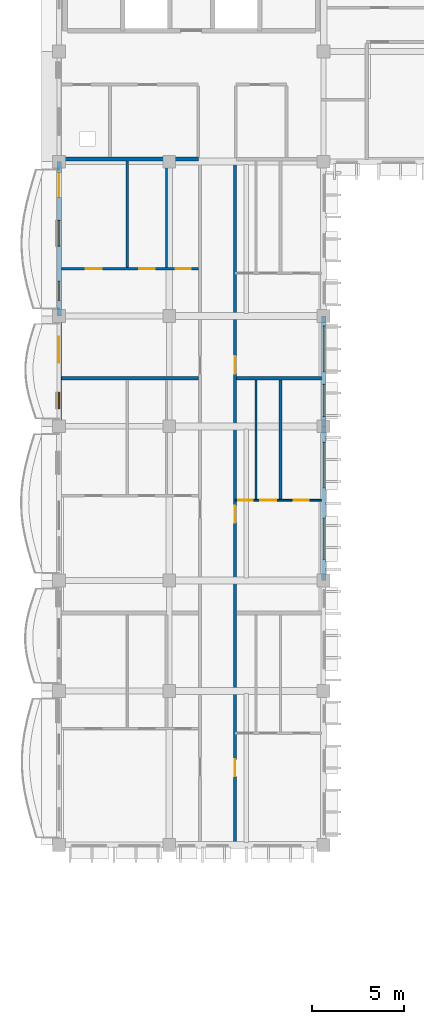
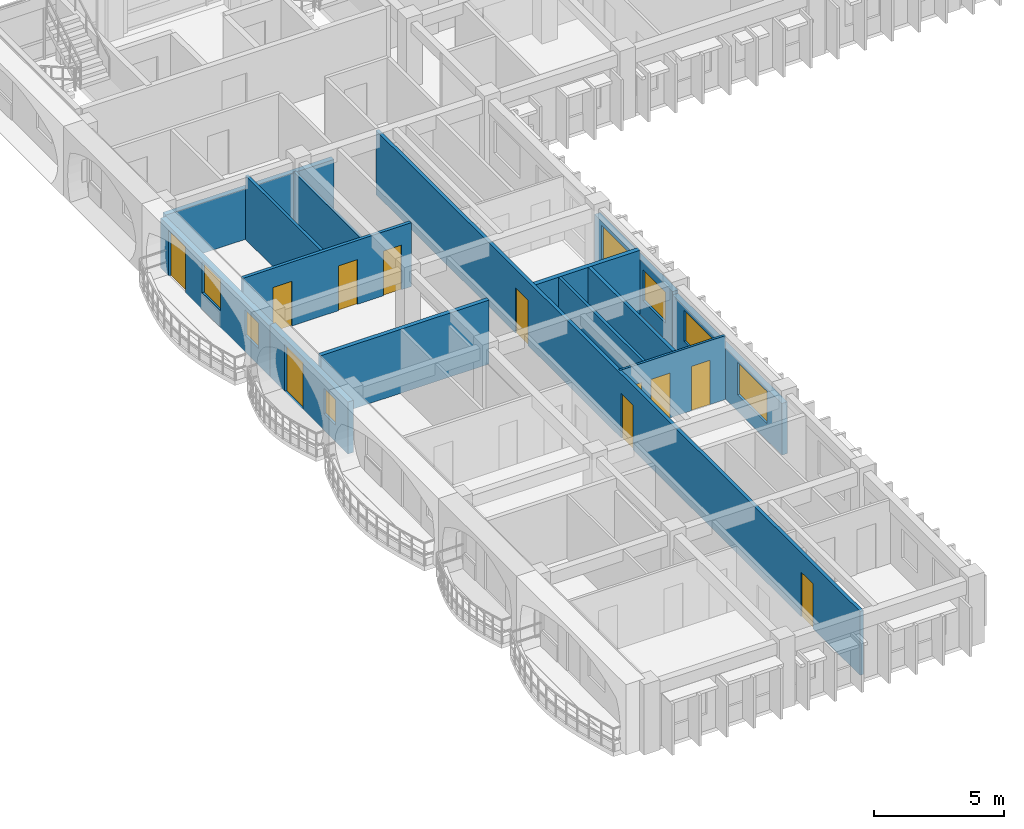
# One storey, part 49 of 101: 14 walls, 11 doors, 7 windows, 18 openings.
"""IFC4 building model written with IfcOpenShell, lengths in metres."""

from ifc_helpers import new_model, si_unit, direction, frame, frame_2d, origin, place, context, subcontext, project, spatial, rectangle, extrude, material, layer, layer_set, type_object, element, fill, save


model = new_model("IFC4")

# Units and contexts
model_context = context("Model", 3, precision=1e-05, world=origin(), true_north=direction((0.0, 1.0)))
body_context = subcontext(model_context, "Body", "Model", "MODEL_VIEW")
ifc_project = project(units=[si_unit("LENGTHUNIT", "METRE"), si_unit("AREAUNIT", "SQUARE_METRE"), si_unit("VOLUMEUNIT", "CUBIC_METRE"), si_unit("PLANEANGLEUNIT", "RADIAN"), si_unit("MASSUNIT", "GRAM", prefix="KILO"), si_unit("THERMODYNAMICTEMPERATUREUNIT", "KELVIN")], contexts=[model_context])

# Site, building, storey
site_placement = place(None, origin())
site = spatial("IfcSite", under=ifc_project, at=site_placement, CompositionType="ELEMENT")
building_placement = place(site_placement, origin())
building = spatial("IfcBuilding", under=site, at=building_placement, Name="Thalorik Housing Commons", CompositionType="ELEMENT")
storey_placement = place(building_placement, frame((0.0, 0.0, 8.10009765625)))
storey = spatial("IfcBuildingStorey", under=building, at=storey_placement, Name="L02", CompositionType="ELEMENT", Elevation=8.10009765625)

# Wall, openings, doors
ifc_material_1 = material(Name="Masonry fire-rated corridor wall", Category="masonry")
ifc_layer_1 = layer(ifc_material_1, 0.14990234375, Name="Masonry fire-rated corridor wall", Category="masonry")
ifc_layer_set_1 = layer_set([ifc_layer_1], Name="Masonry fire-rated corridor wall")
wall_type_1 = type_object("IfcWallType", Name="ARC-WAL-CORR-150", PredefinedType="PARTITIONING", material=ifc_layer_set_1)
wall_1_placement = place(storey_placement, frame((17.97998046875, 72.12451171875, 0.0), z_axis=(0.0, 0.0, 1.0), x_axis=(0.0, 1.0, 0.0)))
wall_1 = element("IfcWall", 1, at=wall_1_placement, inside=storey, type_object=wall_type_1, Name="L02 Block A W Corridor Wall 2", PredefinedType="PARTITIONING", context=body_context, shape_type="SweptSolid", body=[
    extrude(rectangle(XDim=37.215576171875, YDim=0.14990234375, at=frame_2d((18.60791015625, 0.0))), origin(), (0.0, 0.0, 1.0), 3.0),
])
opening_1_placement = place(wall_1_placement, frame((3.619384765625, 0.0, 0.0)))
opening_1 = element("IfcOpeningElement", 2, at=opening_1_placement, cuts=wall_1, Name="Opening ID-0498", PredefinedType="OPENING", context=body_context, shape_type="SweptSolid", body=[
    extrude(rectangle(XDim=0.919921875, YDim=2.10009765625, at=frame_2d((0.4599609375, 1.050048828125))), frame((0.0, 0.0849609375, 0.0), z_axis=(0.0, -1.0, 0.0), x_axis=(1.0, 0.0, 0.0)), (0.0, 0.0, 1.0), 0.169921875),
])
opening_2_placement = place(wall_1_placement, frame((17.43505859375, 0.0, 0.0)))
opening_2 = element("IfcOpeningElement", 3, at=opening_2_placement, cuts=wall_1, Name="Opening ID-0499", PredefinedType="OPENING", context=body_context, shape_type="SweptSolid", body=[
    extrude(rectangle(XDim=0.919921875, YDim=2.10009765625, at=frame_2d((0.4599609375, 1.050048828125))), frame((0.0, 0.0849609375, 0.0), z_axis=(0.0, -1.0, 0.0), x_axis=(1.0, 0.0, 0.0)), (0.0, 0.0, 1.0), 0.169921875),
])
opening_3_placement = place(wall_1_placement, frame((25.535400390625, 0.0, 0.0)))
opening_3 = element("IfcOpeningElement", 4, at=opening_3_placement, cuts=wall_1, Name="Opening ID-0500", PredefinedType="OPENING", context=body_context, shape_type="SweptSolid", body=[
    extrude(rectangle(XDim=0.9599609375, YDim=2.1201171875, at=frame_2d((0.47998046875, 1.06005859375))), frame((0.0, 0.0849609375, 0.0), z_axis=(0.0, -1.0, 0.0), x_axis=(1.0, 0.0, 0.0)), (0.0, 0.0, 1.0), 0.169921875),
])
ifc_material_2 = material(Name="Solid core hardwood timber", Category="wood")
door_type_1 = type_object("IfcDoorType", Name="ARC-DR-FD30-920", OperationType="NOTDEFINED", PredefinedType="DOOR", material=ifc_material_2)
door_1_placement = place(opening_1_placement, origin())
door_1 = element("IfcDoor", 5, at=door_1_placement, inside=storey, type_object=door_type_1, Name="L02 Flat AW-1B Entrance Door", OperationType="SINGLE_SWING_LEFT", OverallHeight=2.10009765625, OverallWidth=0.919921875, PredefinedType="DOOR", context=body_context, shape_type="SweptSolid", body=[
    extrude(rectangle(XDim=0.919921875, YDim=2.10009765625, at=frame_2d((0.4599609375, 1.050048828125))), frame((0.0, 0.02490234375, 0.0), z_axis=(0.0, -1.0, 0.0), x_axis=(1.0, 0.0, 0.0)), (0.0, 0.0, 1.0), 0.050048828125),
])
fill(opening_1, door_1)
door_2_placement = place(opening_2_placement, origin())
door_2 = element("IfcDoor", 6, at=door_2_placement, inside=storey, type_object=door_type_1, Name="L02 Flat AW-2B Entrance Door", OperationType="SINGLE_SWING_RIGHT", OverallHeight=2.10009765625, OverallWidth=0.919921875, PredefinedType="DOOR", context=body_context, shape_type="SweptSolid", body=[
    extrude(rectangle(XDim=0.919921875, YDim=2.10009765625, at=frame_2d((0.4599609375, 1.050048828125))), frame((0.0, 0.02490234375, 0.0), z_axis=(0.0, -1.0, 0.0), x_axis=(1.0, 0.0, 0.0)), (0.0, 0.0, 1.0), 0.050048828125),
])
fill(opening_2, door_2)
door_type_2 = type_object("IfcDoorType", Name="ARC-DR-FD30-960", OperationType="NOTDEFINED", PredefinedType="DOOR", material=ifc_material_2)
door_3_placement = place(opening_3_placement, origin())
door_3 = element("IfcDoor", 7, at=door_3_placement, inside=storey, type_object=door_type_2, Name="L02 Flat AW-3B Entrance Door", OperationType="SINGLE_SWING_LEFT", OverallHeight=2.1201171875, OverallWidth=0.9599609375, PredefinedType="DOOR", context=body_context, shape_type="SweptSolid", body=[
    extrude(rectangle(XDim=0.9599609375, YDim=2.1201171875, at=frame_2d((0.47998046875, 1.06005859375))), frame((0.0, 0.02490234375, 0.0), z_axis=(0.0, -1.0, 0.0), x_axis=(1.0, 0.0, 0.0)), (0.0, 0.0, 1.0), 0.050048828125),
])
fill(opening_3, door_3)

# Wall, openings, door, windows
ifc_material_3 = material(Name="White precast concrete C40/50", Category="concrete")
ifc_layer_2 = layer(ifc_material_3, 0.2451171875, Name="White precast concrete C40/50", Category="concrete")
ifc_layer_set_2 = layer_set([ifc_layer_2], Name="White precast concrete C40/50")
wall_type_2 = type_object("IfcWallType", Name="ARC-WAL-EXT-245", PredefinedType="STANDARD", material=ifc_layer_set_2)
wall_2_placement = place(storey_placement, frame((8.39990234375, 109.199951171875, 0.0), z_axis=(0.0, 0.0, 1.0), x_axis=(0.0, -1.0, 0.0)))
wall_2 = element("IfcWall", 8, at=wall_2_placement, inside=storey, type_object=wall_type_2, Name="L02 Exterior Wall WAL-EXT-L02-A-0073", PredefinedType="STANDARD", context=body_context, shape_type="SweptSolid", body=[
    extrude(rectangle(XDim=8.39990234375, YDim=0.2451171875, at=frame_2d((4.199951171875, 0.0))), origin(), (0.0, 0.0, 1.0), 2.344970703125),
])
opening_4_placement = place(wall_2_placement, frame((0.6201171875, 0.0, 0.0)))
opening_4 = element("IfcOpeningElement", 9, at=opening_4_placement, cuts=wall_2, Name="Opening ED-0015", PredefinedType="OPENING", context=body_context, shape_type="SweptSolid", body=[
    extrude(rectangle(XDim=1.300048828125, YDim=2.14990234375, at=frame_2d((0.64990234375, 1.074951171875))), frame((0.0, 0.132568359375, 0.0), z_axis=(0.0, -1.0, 0.0), x_axis=(1.0, 0.0, 0.0)), (0.0, 0.0, 1.0), 0.26513671875),
])
opening_5_placement = place(wall_2_placement, frame((3.197509765625, 0.0, 0.780029296875)))
opening_5 = element("IfcOpeningElement", 10, at=opening_5_placement, cuts=wall_2, Name="Opening W-08", PredefinedType="OPENING", context=body_context, shape_type="SweptSolid", body=[
    extrude(rectangle(XDim=1.39990234375, YDim=1.449951171875, at=frame_2d((0.699951171875, 0.72509765625))), frame((0.0, 0.132568359375, 0.0), z_axis=(0.0, -1.0, 0.0), x_axis=(1.0, 0.0, 0.0)), (0.0, 0.0, 1.0), 0.26513671875),
])
opening_6_placement = place(wall_2_placement, frame((6.492431640625, 0.0, 0.780029296875)))
opening_6 = element("IfcOpeningElement", 11, at=opening_6_placement, cuts=wall_2, Name="Opening W-44", PredefinedType="OPENING", context=body_context, shape_type="SweptSolid", body=[
    extrude(rectangle(XDim=1.050048828125, YDim=1.199951171875, at=frame_2d((0.52490234375, 0.60009765625))), frame((0.0, 0.132568359375, 0.0), z_axis=(0.0, -1.0, 0.0), x_axis=(1.0, 0.0, 0.0)), (0.0, 0.0, 1.0), 0.26513671875),
])
ifc_material_4 = material(Name="Anodised aluminium and laminated safety glass", Category="aluminium")
door_type_3 = type_object("IfcDoorType", Name="ARC-DR-BAL-1300", OperationType="NOTDEFINED", PredefinedType="DOOR", material=ifc_material_4)
door_4_placement = place(opening_4_placement, frame((1.300048828125, 0.0, 0.0), z_axis=(0.0, 0.0, 1.0), x_axis=(-1.0, 0.0, 0.0)))
door_4 = element("IfcDoor", 12, at=door_4_placement, inside=storey, type_object=door_type_3, Name="L02 Block A Balcony Glazed Door", OperationType="SINGLE_SWING_RIGHT", OverallHeight=2.14990234375, OverallWidth=1.300048828125, PredefinedType="DOOR", context=body_context, shape_type="SweptSolid", body=[
    extrude(rectangle(XDim=1.300048828125, YDim=2.14990234375, at=frame_2d((0.64990234375, 1.074951171875))), frame((0.0, 0.02490234375, 0.0), z_axis=(0.0, -1.0, 0.0), x_axis=(1.0, 0.0, 0.0)), (0.0, 0.0, 1.0), 0.050048828125),
])
fill(opening_4, door_4)
ifc_material_5 = material(Name="Anodised aluminium and solar-control low-E glass", Category="aluminium")
window_type_1 = type_object("IfcWindowType", Name="ARC-WIN-08", PartitioningType="SINGLE_PANEL", PredefinedType="WINDOW", material=ifc_material_5)
window_1_placement = place(opening_5_placement, origin())
window_1 = element("IfcWindow", 13, at=window_1_placement, inside=storey, type_object=window_type_1, Name="L02 Facade Window 126", OverallHeight=1.449951171875, OverallWidth=1.39990234375, PartitioningType="SINGLE_PANEL", PredefinedType="WINDOW", context=body_context, shape_type="SweptSolid", body=[
    extrude(rectangle(XDim=1.39990234375, YDim=1.449951171875, at=frame_2d((0.699951171875, 0.72509765625))), frame((0.0, 0.030029296875, 0.0), z_axis=(0.0, -1.0, 0.0), x_axis=(1.0, 0.0, 0.0)), (0.0, 0.0, 1.0), 0.06005859375),
])
fill(opening_5, window_1)
window_type_2 = type_object("IfcWindowType", Name="ARC-WIN-44", PartitioningType="SINGLE_PANEL", PredefinedType="WINDOW", material=ifc_material_5)
window_2_placement = place(opening_6_placement, origin())
window_2 = element("IfcWindow", 14, at=window_2_placement, inside=storey, type_object=window_type_2, Name="L02 Facade Window 127", OverallHeight=1.199951171875, OverallWidth=1.050048828125, PartitioningType="SINGLE_PANEL", PredefinedType="WINDOW", context=body_context, shape_type="SweptSolid", body=[
    extrude(rectangle(XDim=1.050048828125, YDim=1.199951171875, at=frame_2d((0.52490234375, 0.60009765625))), frame((0.0, 0.030029296875, 0.0), z_axis=(0.0, -1.0, 0.0), x_axis=(1.0, 0.0, 0.0)), (0.0, 0.0, 1.0), 0.06005859375),
])
fill(opening_6, window_2)

# Wall, openings, door, window
wall_3_placement = place(storey_placement, frame((8.39990234375, 100.800048828125, 0.0), z_axis=(0.0, 0.0, 1.0), x_axis=(0.0, -1.0, 0.0)))
wall_3 = element("IfcWall", 15, at=wall_3_placement, inside=storey, type_object=wall_type_2, Name="L02 Exterior Wall WAL-EXT-L02-A-0074", PredefinedType="STANDARD", context=body_context, shape_type="SweptSolid", body=[
    extrude(rectangle(XDim=6.0, YDim=0.2451171875, at=frame_2d((3.0, 0.0))), origin(), (0.0, 0.0, 1.0), 2.44482421875),
])
opening_7_placement = place(wall_3_placement, frame((1.139892578125, 0.0, 0.0)))
opening_7 = element("IfcOpeningElement", 16, at=opening_7_placement, cuts=wall_3, Name="Opening ED-0016", PredefinedType="OPENING", context=body_context, shape_type="SweptSolid", body=[
    extrude(rectangle(XDim=1.39990234375, YDim=2.199951171875, at=frame_2d((0.699951171875, 1.10009765625))), frame((0.0, 0.132568359375, 0.0), z_axis=(0.0, -1.0, 0.0), x_axis=(1.0, 0.0, 0.0)), (0.0, 0.0, 1.0), 0.26513671875),
])
opening_8_placement = place(wall_3_placement, frame((4.14990234375, 0.0, 0.780029296875)))
opening_8 = element("IfcOpeningElement", 17, at=opening_8_placement, cuts=wall_3, Name="Opening W-01", PredefinedType="OPENING", context=body_context, shape_type="SweptSolid", body=[
    extrude(rectangle(XDim=0.89990234375, YDim=1.199951171875, at=frame_2d((0.449951171875, 0.60009765625))), frame((0.0, 0.132568359375, 0.0), z_axis=(0.0, -1.0, 0.0), x_axis=(1.0, 0.0, 0.0)), (0.0, 0.0, 1.0), 0.26513671875),
])
door_type_4 = type_object("IfcDoorType", Name="ARC-DR-BAL-1400", OperationType="NOTDEFINED", PredefinedType="DOOR", material=ifc_material_4)
door_5_placement = place(opening_7_placement, frame((1.39990234375, 0.0, 0.0), z_axis=(0.0, 0.0, 1.0), x_axis=(-1.0, 0.0, 0.0)))
door_5 = element("IfcDoor", 18, at=door_5_placement, inside=storey, type_object=door_type_4, Name="L02 Block A Balcony Glazed Door", OperationType="SLIDING_TO_LEFT", OverallHeight=2.199951171875, OverallWidth=1.39990234375, PredefinedType="DOOR", context=body_context, shape_type="SweptSolid", body=[
    extrude(rectangle(XDim=1.39990234375, YDim=2.199951171875, at=frame_2d((0.699951171875, 1.10009765625))), frame((0.0, 0.02490234375, 0.0), z_axis=(0.0, -1.0, 0.0), x_axis=(1.0, 0.0, 0.0)), (0.0, 0.0, 1.0), 0.050048828125),
])
fill(opening_7, door_5)
window_type_3 = type_object("IfcWindowType", Name="ARC-WIN-01", PartitioningType="SINGLE_PANEL", PredefinedType="WINDOW", material=ifc_material_5)
window_3_placement = place(opening_8_placement, origin())
window_3 = element("IfcWindow", 19, at=window_3_placement, inside=storey, type_object=window_type_3, Name="L02 Facade Window 128", OverallHeight=1.199951171875, OverallWidth=0.89990234375, PartitioningType="SINGLE_PANEL", PredefinedType="WINDOW", context=body_context, shape_type="SweptSolid", body=[
    extrude(rectangle(XDim=0.89990234375, YDim=1.199951171875, at=frame_2d((0.449951171875, 0.60009765625))), frame((0.0, 0.030029296875, 0.0), z_axis=(0.0, -1.0, 0.0), x_axis=(1.0, 0.0, 0.0)), (0.0, 0.0, 1.0), 0.06005859375),
])
fill(opening_8, window_3)

# Wall, openings, windows
wall_4_placement = place(storey_placement, frame((22.800048828125, 86.39990234375, 0.0), z_axis=(0.0, 0.0, 1.0), x_axis=(0.0, 1.0, 0.0)))
wall_4 = element("IfcWall", 20, at=wall_4_placement, inside=storey, type_object=wall_type_2, Name="L02 Exterior Wall WAL-EXT-L02-A-0082", PredefinedType="STANDARD", context=body_context, shape_type="SweptSolid", body=[
    extrude(rectangle(XDim=8.400146484375, YDim=0.2451171875, at=frame_2d((4.2001953125, 0.0))), origin(), (0.0, 0.0, 1.0), 2.4248046875),
])
opening_9_placement = place(wall_4_placement, frame((1.159912109375, 0.0, 0.780029296875)))
opening_9 = element("IfcOpeningElement", 21, at=opening_9_placement, cuts=wall_4, Name="Opening W-66", PredefinedType="OPENING", context=body_context, shape_type="SweptSolid", body=[
    extrude(rectangle(XDim=2.239990234375, YDim=1.52001953125, at=frame_2d((1.1201171875, 0.760009765625))), frame((0.0, 0.132568359375, 0.0), z_axis=(0.0, -1.0, 0.0), x_axis=(1.0, 0.0, 0.0)), (0.0, 0.0, 1.0), 0.26513671875),
])
opening_10_placement = place(wall_4_placement, frame((5.0498046875, 0.0, 0.780029296875)))
opening_10 = element("IfcOpeningElement", 22, at=opening_10_placement, cuts=wall_4, Name="Opening W-71", PredefinedType="OPENING", context=body_context, shape_type="SweptSolid", body=[
    extrude(rectangle(XDim=2.47998046875, YDim=1.4599609375, at=frame_2d((1.239990234375, 0.72998046875))), frame((0.0, 0.132568359375, 0.0), z_axis=(0.0, -1.0, 0.0), x_axis=(1.0, 0.0, 0.0)), (0.0, 0.0, 1.0), 0.26513671875),
])
window_type_4 = type_object("IfcWindowType", Name="ARC-WIN-66", PartitioningType="DOUBLE_PANEL_VERTICAL", PredefinedType="WINDOW", material=ifc_material_5)
window_4_placement = place(opening_9_placement, origin())
window_4 = element("IfcWindow", 23, at=window_4_placement, inside=storey, type_object=window_type_4, Name="L02 Facade Window 146", OverallHeight=1.52001953125, OverallWidth=2.239990234375, PartitioningType="DOUBLE_PANEL_VERTICAL", PredefinedType="WINDOW", context=body_context, shape_type="SweptSolid", body=[
    extrude(rectangle(XDim=2.239990234375, YDim=1.52001953125, at=frame_2d((1.1201171875, 0.760009765625))), frame((0.0, 0.030029296875, 0.0), z_axis=(0.0, -1.0, 0.0), x_axis=(1.0, 0.0, 0.0)), (0.0, 0.0, 1.0), 0.06005859375),
])
fill(opening_9, window_4)
window_type_5 = type_object("IfcWindowType", Name="ARC-WIN-71", PartitioningType="DOUBLE_PANEL_VERTICAL", PredefinedType="WINDOW", material=ifc_material_5)
window_5_placement = place(opening_10_placement, origin())
window_5 = element("IfcWindow", 24, at=window_5_placement, inside=storey, type_object=window_type_5, Name="L02 Facade Window 147", OverallHeight=1.4599609375, OverallWidth=2.47998046875, PartitioningType="DOUBLE_PANEL_VERTICAL", PredefinedType="WINDOW", context=body_context, shape_type="SweptSolid", body=[
    extrude(rectangle(XDim=2.47998046875, YDim=1.4599609375, at=frame_2d((1.239990234375, 0.72998046875))), frame((0.0, 0.030029296875, 0.0), z_axis=(0.0, -1.0, 0.0), x_axis=(1.0, 0.0, 0.0)), (0.0, 0.0, 1.0), 0.06005859375),
])
fill(opening_10, window_5)

wall_5_placement = place(storey_placement, frame((22.800048828125, 94.800048828125, 0.0), z_axis=(0.0, 0.0, 1.0), x_axis=(0.0, 1.0, 0.0)))
wall_5 = element("IfcWall", 25, at=wall_5_placement, inside=storey, type_object=wall_type_2, Name="L02 Exterior Wall WAL-EXT-L02-A-0083", PredefinedType="STANDARD", context=body_context, shape_type="SweptSolid", body=[
    extrude(rectangle(XDim=6.0, YDim=0.2451171875, at=frame_2d((3.0, 0.0))), origin(), (0.0, 0.0, 1.0), 2.574951171875),
])
opening_11_placement = place(wall_5_placement, frame((0.52490234375, 0.0, 0.780029296875)))
opening_11 = element("IfcOpeningElement", 26, at=opening_11_placement, cuts=wall_5, Name="Opening W-17", PredefinedType="OPENING", context=body_context, shape_type="SweptSolid", body=[
    extrude(rectangle(XDim=1.75, YDim=1.449951171875, at=frame_2d((0.875, 0.72509765625))), frame((0.0, 0.132568359375, 0.0), z_axis=(0.0, -1.0, 0.0), x_axis=(1.0, 0.0, 0.0)), (0.0, 0.0, 1.0), 0.26513671875),
])
opening_12_placement = place(wall_5_placement, frame((2.9599609375, 0.0, 0.780029296875)))
opening_12 = element("IfcOpeningElement", 27, at=opening_12_placement, cuts=wall_5, Name="Opening W-37", PredefinedType="OPENING", context=body_context, shape_type="SweptSolid", body=[
    extrude(rectangle(XDim=2.5, YDim=1.60009765625, at=frame_2d((1.25, 0.800048828125))), frame((0.0, 0.132568359375, 0.0), z_axis=(0.0, -1.0, 0.0), x_axis=(1.0, 0.0, 0.0)), (0.0, 0.0, 1.0), 0.26513671875),
])
window_type_6 = type_object("IfcWindowType", Name="ARC-WIN-17", PartitioningType="DOUBLE_PANEL_VERTICAL", PredefinedType="WINDOW", material=ifc_material_5)
window_6_placement = place(opening_11_placement, origin())
window_6 = element("IfcWindow", 28, at=window_6_placement, inside=storey, type_object=window_type_6, Name="L02 Facade Window 148", OverallHeight=1.449951171875, OverallWidth=1.75, PartitioningType="DOUBLE_PANEL_VERTICAL", PredefinedType="WINDOW", context=body_context, shape_type="SweptSolid", body=[
    extrude(rectangle(XDim=1.75, YDim=1.449951171875, at=frame_2d((0.875, 0.72509765625))), frame((0.0, 0.030029296875, 0.0), z_axis=(0.0, -1.0, 0.0), x_axis=(1.0, 0.0, 0.0)), (0.0, 0.0, 1.0), 0.06005859375),
])
fill(opening_11, window_6)
window_type_7 = type_object("IfcWindowType", Name="ARC-WIN-37", PartitioningType="DOUBLE_PANEL_VERTICAL", PredefinedType="WINDOW", material=ifc_material_5)
window_7_placement = place(opening_12_placement, origin())
window_7 = element("IfcWindow", 29, at=window_7_placement, inside=storey, type_object=window_type_7, Name="L02 Facade Window 149", OverallHeight=1.60009765625, OverallWidth=2.5, PartitioningType="DOUBLE_PANEL_VERTICAL", PredefinedType="WINDOW", context=body_context, shape_type="SweptSolid", body=[
    extrude(rectangle(XDim=2.5, YDim=1.60009765625, at=frame_2d((1.25, 0.800048828125))), frame((0.0, 0.030029296875, 0.0), z_axis=(0.0, -1.0, 0.0), x_axis=(1.0, 0.0, 0.0)), (0.0, 0.0, 1.0), 0.06005859375),
])
fill(opening_12, window_7)

# Wall, openings, doors
ifc_material_6 = material(Name="Gypsum light stud partition", Category="masonry")
ifc_layer_3 = layer(ifc_material_6, 0.10009765625, Name="Gypsum light stud partition", Category="masonry")
ifc_layer_set_3 = layer_set([ifc_layer_3], Name="Gypsum light stud partition")
wall_type_3 = type_object("IfcWallType", Name="ARC-WAL-PART-100", PredefinedType="PARTITIONING", material=ifc_layer_set_3)
wall_6_placement = place(storey_placement, frame((17.97998046875, 90.76953125, 0.0), z_axis=(0.0, 0.0, 1.0), x_axis=(1.0, 0.0, 0.0)))
wall_6 = element("IfcWall", 30, at=wall_6_placement, inside=storey, type_object=wall_type_3, Name="L02 Unit 2B Spine Partition", PredefinedType="PARTITIONING", context=body_context, shape_type="SweptSolid", body=[
    extrude(rectangle(XDim=4.695556640625, YDim=0.10009765625, at=frame_2d((2.34765625, 0.0))), origin(), (0.0, 0.0, 1.0), 3.0),
])
opening_13_placement = place(wall_6_placement, frame((0.171142578125, 0.0, 0.0)))
opening_13 = element("IfcOpeningElement", 31, at=opening_13_placement, cuts=wall_6, Name="Opening ID-0486", PredefinedType="OPENING", context=body_context, shape_type="SweptSolid", body=[
    extrude(rectangle(XDim=0.800048828125, YDim=2.10009765625, at=frame_2d((0.39990234375, 1.050048828125))), frame((0.0, 0.06005859375, 0.0), z_axis=(0.0, -1.0, 0.0), x_axis=(1.0, 0.0, 0.0)), (0.0, 0.0, 1.0), 0.1201171875),
])
opening_14_placement = place(wall_6_placement, frame((1.3837890625, 0.0, 0.0)))
opening_14 = element("IfcOpeningElement", 32, at=opening_14_placement, cuts=wall_6, Name="Opening ID-0487", PredefinedType="OPENING", context=body_context, shape_type="SweptSolid", body=[
    extrude(rectangle(XDim=0.85009765625, YDim=2.10009765625, at=frame_2d((0.425048828125, 1.050048828125))), frame((0.0, 0.06005859375, 0.0), z_axis=(0.0, -1.0, 0.0), x_axis=(1.0, 0.0, 0.0)), (0.0, 0.0, 1.0), 0.1201171875),
])
opening_15_placement = place(wall_6_placement, frame((3.192626953125, 0.0, 0.0)))
opening_15 = element("IfcOpeningElement", 33, at=opening_15_placement, cuts=wall_6, Name="Opening ID-0488", PredefinedType="OPENING", context=body_context, shape_type="SweptSolid", body=[
    extrude(rectangle(XDim=0.820068359375, YDim=2.080078125, at=frame_2d((0.41015625, 1.0400390625))), frame((0.0, 0.06005859375, 0.0), z_axis=(0.0, -1.0, 0.0), x_axis=(1.0, 0.0, 0.0)), (0.0, 0.0, 1.0), 0.1201171875),
])
ifc_material_7 = material(Name="Moisture-resistant timber", Category="wood")
door_type_5 = type_object("IfcDoorType", Name="ARC-DR-INT-800", OperationType="NOTDEFINED", PredefinedType="DOOR", material=ifc_material_7)
door_6_placement = place(opening_13_placement, origin())
door_6 = element("IfcDoor", 34, at=door_6_placement, inside=storey, type_object=door_type_5, Name="L02 Flat Bathroom Door", OperationType="SINGLE_SWING_LEFT", OverallHeight=2.10009765625, OverallWidth=0.800048828125, PredefinedType="DOOR", context=body_context, shape_type="SweptSolid", body=[
    extrude(rectangle(XDim=0.800048828125, YDim=2.10009765625, at=frame_2d((0.39990234375, 1.050048828125))), frame((0.0, 0.02490234375, 0.0), z_axis=(0.0, -1.0, 0.0), x_axis=(1.0, 0.0, 0.0)), (0.0, 0.0, 1.0), 0.050048828125),
])
fill(opening_13, door_6)
ifc_material_8 = material(Name="Engineered oak timber", Category="wood")
door_type_6 = type_object("IfcDoorType", Name="ARC-DR-INT-820", OperationType="NOTDEFINED", PredefinedType="DOOR", material=ifc_material_8)
door_7_placement = place(opening_15_placement, origin())
door_7 = element("IfcDoor", 35, at=door_7_placement, inside=storey, type_object=door_type_6, Name="L02 Master Bedroom Door", OperationType="SINGLE_SWING_LEFT", OverallHeight=2.080078125, OverallWidth=0.820068359375, PredefinedType="DOOR", context=body_context, shape_type="SweptSolid", body=[
    extrude(rectangle(XDim=0.820068359375, YDim=2.080078125, at=frame_2d((0.41015625, 1.0400390625))), frame((0.0, 0.02490234375, 0.0), z_axis=(0.0, -1.0, 0.0), x_axis=(1.0, 0.0, 0.0)), (0.0, 0.0, 1.0), 0.050048828125),
])
fill(opening_15, door_7)
door_type_7 = type_object("IfcDoorType", Name="ARC-DR-INT-850", OperationType="NOTDEFINED", PredefinedType="DOOR", material=ifc_material_8)
door_8_placement = place(opening_14_placement, origin())
door_8 = element("IfcDoor", 36, at=door_8_placement, inside=storey, type_object=door_type_7, Name="L02 Eat-In Kitchen Door", OperationType="SINGLE_SWING_RIGHT", OverallHeight=2.10009765625, OverallWidth=0.85009765625, PredefinedType="DOOR", context=body_context, shape_type="SweptSolid", body=[
    extrude(rectangle(XDim=0.85009765625, YDim=2.10009765625, at=frame_2d((0.425048828125, 1.050048828125))), frame((0.0, 0.02490234375, 0.0), z_axis=(0.0, -1.0, 0.0), x_axis=(1.0, 0.0, 0.0)), (0.0, 0.0, 1.0), 0.050048828125),
])
fill(opening_14, door_8)

# Walls
ifc_material_9 = material(Name="Gypsum moisture-resistant partition", Category="masonry")
ifc_layer_4 = layer(ifc_material_9, 0.114990234375, Name="Gypsum moisture-resistant partition", Category="masonry")
ifc_layer_set_4 = layer_set([ifc_layer_4], Name="Gypsum moisture-resistant partition")
wall_type_4 = type_object("IfcWallType", Name="ARC-WAL-PART-115", PredefinedType="PARTITIONING", material=ifc_layer_set_4)
wall_7_placement = place(storey_placement, frame((14.251220703125, 103.447021484375, 0.0), z_axis=(0.0, 0.0, 1.0), x_axis=(0.0, 1.0, 0.0)))
element("IfcWall", 37, at=wall_7_placement, inside=storey, type_object=wall_type_4, Name="L02 Unit 3 Wet Wall", PredefinedType="PARTITIONING", context=body_context, shape_type="SweptSolid", body=[
    extrude(rectangle(XDim=5.781005859375, YDim=0.114990234375, at=frame_2d((2.890625, 0.0))), origin(), (0.0, 0.0, 1.0), 2.4248046875),
])
ifc_material_10 = material(Name="Gypsum acoustic stud partition", Category="masonry")
ifc_layer_5 = layer(ifc_material_10, 0.125, Name="Gypsum acoustic stud partition", Category="masonry")
ifc_layer_set_5 = layer_set([ifc_layer_5], Name="Gypsum acoustic stud partition")
wall_type_5 = type_object("IfcWallType", Name="ARC-WAL-PART-125", PredefinedType="PARTITIONING", material=ifc_layer_set_5)
wall_8_placement = place(storey_placement, frame((19.122314453125, 90.821533203125, 0.0), z_axis=(0.0, 0.0, 1.0), x_axis=(0.0, 1.0, 0.0)))
element("IfcWall", 38, at=wall_8_placement, inside=storey, type_object=wall_type_5, Name="L02 Unit 2B Wet Wall", PredefinedType="PARTITIONING", context=body_context, shape_type="SweptSolid", body=[
    extrude(rectangle(XDim=6.486572265625, YDim=0.125, at=frame_2d((3.2431640625, 0.0))), origin(), (0.0, 0.0, 1.0), 3.0),
])
wall_9_placement = place(storey_placement, frame((12.11767578125, 103.447021484375, 0.0), z_axis=(0.0, 0.0, 1.0), x_axis=(0.0, 1.0, 0.0)))
element("IfcWall", 39, at=wall_9_placement, inside=storey, type_object=wall_type_5, Name="L02 Unit 3 Bedroom Partition", PredefinedType="PARTITIONING", context=body_context, shape_type="SweptSolid", body=[
    extrude(rectangle(XDim=5.781005859375, YDim=0.125, at=frame_2d((2.890625, 0.0))), origin(), (0.0, 0.0, 1.0), 3.0),
])
ifc_material_11 = material(Name="Ceramic masonry partition wall", Category="masonry")
ifc_layer_6 = layer(ifc_material_11, 0.139892578125, Name="Ceramic masonry partition wall", Category="masonry")
ifc_layer_set_6 = layer_set([ifc_layer_6], Name="Ceramic masonry partition wall")
wall_type_6 = type_object("IfcWallType", Name="ARC-WAL-PART-140", PredefinedType="PARTITIONING", material=ifc_layer_set_6)
wall_10_placement = place(storey_placement, frame((20.455078125, 90.821533203125, 0.0), z_axis=(0.0, 0.0, 1.0), x_axis=(0.0, 1.0, 0.0)))
element("IfcWall", 40, at=wall_10_placement, inside=storey, type_object=wall_type_6, Name="L02 Unit 2B Bedroom Partition", PredefinedType="PARTITIONING", context=body_context, shape_type="SweptSolid", body=[
    extrude(rectangle(XDim=6.486572265625, YDim=0.139892578125, at=frame_2d((3.2431640625, 0.0))), origin(), (0.0, 0.0, 1.0), 3.0),
])

# Wall, openings, doors
wall_11_placement = place(storey_placement, frame((8.5244140625, 103.375, 0.0), z_axis=(0.0, 0.0, 1.0), x_axis=(1.0, 0.0, 0.0)))
wall_11 = element("IfcWall", 41, at=wall_11_placement, inside=storey, type_object=wall_type_6, Name="L02 Unit 3 Spine Partition", PredefinedType="PARTITIONING", context=body_context, shape_type="SweptSolid", body=[
    extrude(rectangle(XDim=7.47119140625, YDim=0.139892578125, at=frame_2d((3.735595703125, 0.0))), origin(), (0.0, 0.0, 1.0), 3.0),
])
opening_16_placement = place(wall_11_placement, frame((1.33935546875, 0.0, 0.0)))
opening_16 = element("IfcOpeningElement", 42, at=opening_16_placement, cuts=wall_11, Name="Opening ID-0489", PredefinedType="OPENING", context=body_context, shape_type="SweptSolid", body=[
    extrude(rectangle(XDim=0.85009765625, YDim=2.10009765625, at=frame_2d((0.425048828125, 1.050048828125))), frame((0.0, 0.080078125, 0.0), z_axis=(0.0, -1.0, 0.0), x_axis=(1.0, 0.0, 0.0)), (0.0, 0.0, 1.0), 0.159912109375),
])
opening_17_placement = place(wall_11_placement, frame((4.23486328125, 0.0, 0.0)))
opening_17 = element("IfcOpeningElement", 43, at=opening_17_placement, cuts=wall_11, Name="Opening ID-0490", PredefinedType="OPENING", context=body_context, shape_type="SweptSolid", body=[
    extrude(rectangle(XDim=0.85009765625, YDim=2.10009765625, at=frame_2d((0.425048828125, 1.050048828125))), frame((0.0, 0.080078125, 0.0), z_axis=(0.0, -1.0, 0.0), x_axis=(1.0, 0.0, 0.0)), (0.0, 0.0, 1.0), 0.159912109375),
])
opening_18_placement = place(wall_11_placement, frame((6.2412109375, 0.0, 0.0)))
opening_18 = element("IfcOpeningElement", 44, at=opening_18_placement, cuts=wall_11, Name="Opening ID-0491", PredefinedType="OPENING", context=body_context, shape_type="SweptSolid", body=[
    extrude(rectangle(XDim=0.800048828125, YDim=2.10009765625, at=frame_2d((0.39990234375, 1.050048828125))), frame((0.0, 0.080078125, 0.0), z_axis=(0.0, -1.0, 0.0), x_axis=(1.0, 0.0, 0.0)), (0.0, 0.0, 1.0), 0.159912109375),
])
door_9_placement = place(opening_18_placement, origin())
door_9 = element("IfcDoor", 45, at=door_9_placement, inside=storey, type_object=door_type_5, Name="L02 Accessible Bathroom Door", OperationType="SINGLE_SWING_RIGHT", OverallHeight=2.10009765625, OverallWidth=0.800048828125, PredefinedType="DOOR", context=body_context, shape_type="SweptSolid", body=[
    extrude(rectangle(XDim=0.800048828125, YDim=2.10009765625, at=frame_2d((0.39990234375, 1.050048828125))), frame((0.0, 0.02490234375, 0.0), z_axis=(0.0, -1.0, 0.0), x_axis=(1.0, 0.0, 0.0)), (0.0, 0.0, 1.0), 0.050048828125),
])
fill(opening_18, door_9)
door_10_placement = place(opening_16_placement, origin())
door_10 = element("IfcDoor", 46, at=door_10_placement, inside=storey, type_object=door_type_7, Name="L02 Double Bedroom Door", OperationType="SINGLE_SWING_RIGHT", OverallHeight=2.10009765625, OverallWidth=0.85009765625, PredefinedType="DOOR", context=body_context, shape_type="SweptSolid", body=[
    extrude(rectangle(XDim=0.85009765625, YDim=2.10009765625, at=frame_2d((0.425048828125, 1.050048828125))), frame((0.0, 0.02490234375, 0.0), z_axis=(0.0, -1.0, 0.0), x_axis=(1.0, 0.0, 0.0)), (0.0, 0.0, 1.0), 0.050048828125),
])
fill(opening_16, door_10)
door_11_placement = place(opening_17_placement, origin())
door_11 = element("IfcDoor", 47, at=door_11_placement, inside=storey, type_object=door_type_7, Name="L02 Galley Kitchen Door", OperationType="SINGLE_SWING_LEFT", OverallHeight=2.10009765625, OverallWidth=0.85009765625, PredefinedType="DOOR", context=body_context, shape_type="SweptSolid", body=[
    extrude(rectangle(XDim=0.85009765625, YDim=2.10009765625, at=frame_2d((0.425048828125, 1.050048828125))), frame((0.0, 0.02490234375, 0.0), z_axis=(0.0, -1.0, 0.0), x_axis=(1.0, 0.0, 0.0)), (0.0, 0.0, 1.0), 0.050048828125),
])
fill(opening_17, door_11)

# Walls
ifc_material_12 = material(Name="Masonry acoustic blockwork wall", Category="masonry")
ifc_layer_7 = layer(ifc_material_12, 0.18505859375, Name="Masonry acoustic blockwork wall", Category="masonry")
ifc_layer_set_7 = layer_set([ifc_layer_7], Name="Masonry acoustic blockwork wall")
wall_type_7 = type_object("IfcWallType", Name="ARC-WAL-PARTY-185", PredefinedType="PARTITIONING", material=ifc_layer_set_7)
wall_12_placement = place(storey_placement, frame((8.5244140625, 97.409912109375, 0.0), z_axis=(0.0, 0.0, 1.0), x_axis=(1.0, 0.0, 0.0)))
element("IfcWall", 48, at=wall_12_placement, inside=storey, type_object=wall_type_7, Name="L02 Inter-Tenancy Wall 2A", PredefinedType="PARTITIONING", context=body_context, shape_type="SweptSolid", body=[
    extrude(rectangle(XDim=7.47119140625, YDim=0.18505859375, at=frame_2d((3.735595703125, 0.0))), origin(), (0.0, 0.0, 1.0), 3.0),
])
ifc_material_13 = material(Name="Precast concrete C40/50 acoustic wall", Category="concrete")
ifc_layer_8 = layer(ifc_material_13, 0.199951171875, Name="Precast concrete C40/50 acoustic wall", Category="concrete")
ifc_layer_set_8 = layer_set([ifc_layer_8], Name="Precast concrete C40/50 acoustic wall")
wall_type_8 = type_object("IfcWallType", Name="ARC-WAL-PARTY-200", PredefinedType="PARTITIONING", material=ifc_layer_set_8)
wall_13_placement = place(storey_placement, frame((18.056884765625, 97.409912109375, 0.0), z_axis=(0.0, 0.0, 1.0), x_axis=(1.0, 0.0, 0.0)))
element("IfcWall", 49, at=wall_13_placement, inside=storey, type_object=wall_type_8, Name="L02 Inter-Tenancy Wall 2B", PredefinedType="PARTITIONING", context=body_context, shape_type="SweptSolid", body=[
    extrude(rectangle(XDim=4.61865234375, YDim=0.199951171875, at=frame_2d((2.309326171875, 0.0))), origin(), (0.0, 0.0, 1.0), 3.0),
])
ifc_layer_9 = layer(ifc_material_13, 0.219970703125, Name="Precast concrete C40/50 acoustic wall", Category="concrete")
ifc_layer_set_9 = layer_set([ifc_layer_9], Name="Precast concrete C40/50 acoustic wall")
wall_type_9 = type_object("IfcWallType", Name="ARC-WAL-PARTY-220", PredefinedType="PARTITIONING", material=ifc_layer_set_9)
wall_14_placement = place(storey_placement, frame((8.5244140625, 109.340087890625, 0.0), z_axis=(0.0, 0.0, 1.0), x_axis=(1.0, 0.0, 0.0)))
element("IfcWall", 50, at=wall_14_placement, inside=storey, type_object=wall_type_9, Name="L02 Core End Wall A", PredefinedType="PARTITIONING", context=body_context, shape_type="SweptSolid", body=[
    extrude(rectangle(XDim=7.47119140625, YDim=0.219970703125, at=frame_2d((3.735595703125, 0.0))), origin(), (0.0, 0.0, 1.0), 2.375),
])

save(model, "model.ifc")
